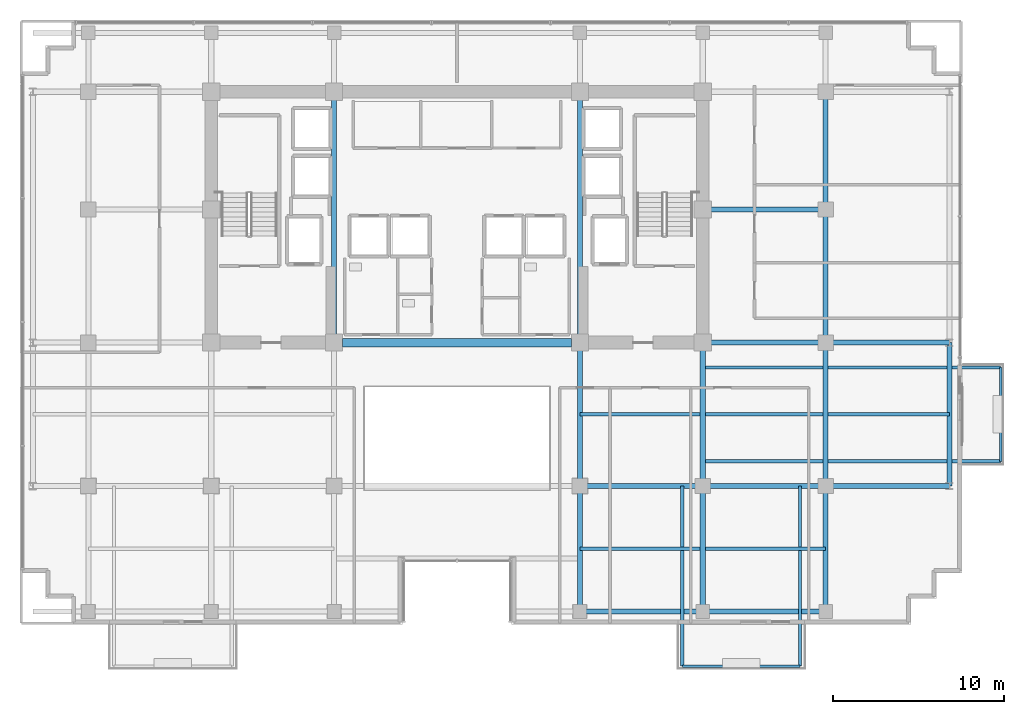
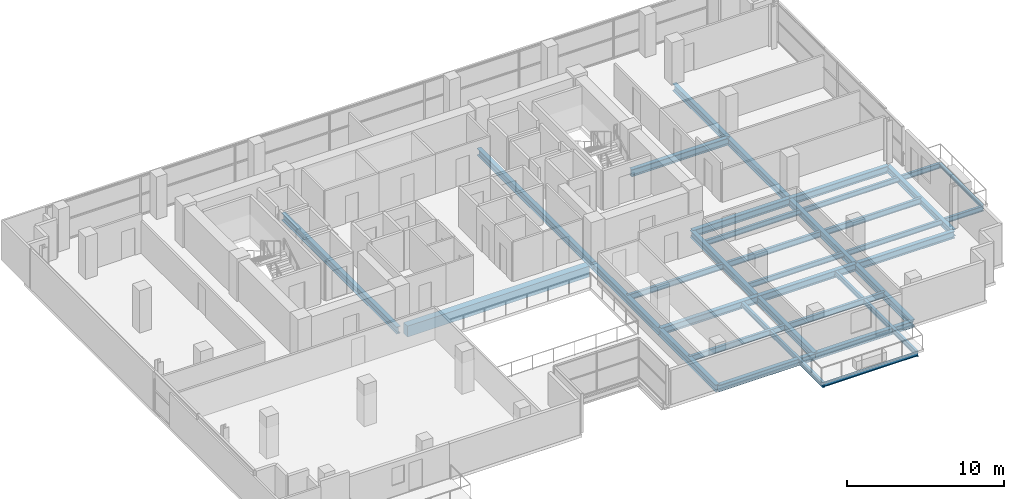
# One storey, part 10 of 24: 31 beams.
"""IFC4 building model written with IfcOpenShell, lengths in metres."""

from ifc_helpers import new_model, si_unit, direction, frame, origin, origin_2d, place, context, subcontext, project, spatial, rectangle, i_section, extrude, material, material_profile, profile_set, type_object, element, save


model = new_model("IFC4")

# Units and contexts
model_context = context("Model", 3, precision=1e-05, world=origin(), true_north=direction((0.0, 1.0)))
body_context = subcontext(model_context, "Body", "Model", "MODEL_VIEW")
ifc_project = project(units=[si_unit("LENGTHUNIT", "METRE"), si_unit("AREAUNIT", "SQUARE_METRE"), si_unit("VOLUMEUNIT", "CUBIC_METRE"), si_unit("PLANEANGLEUNIT", "RADIAN"), si_unit("MASSUNIT", "GRAM", prefix="KILO")], contexts=[model_context])

# Site, building, storey
site_placement = place(None, origin())
site = spatial("IfcSite", under=ifc_project, at=site_placement, CompositionType="ELEMENT")
building_placement = place(site_placement, origin())
building = spatial("IfcBuilding", under=site, at=building_placement, Name="Zarnakvel Exchange Tower", CompositionType="ELEMENT")
storey_placement = place(building_placement, frame((0.0, 0.0, 133.0)))
storey = spatial("IfcBuildingStorey", under=building, at=storey_placement, Name="L37", CompositionType="ELEMENT", Elevation=133.0)

# Beams
ifc_material_1 = material(Name="Steel S355", Category="steel")
ifc_material_profile_1 = material_profile(ifc_material_1, i_section(OverallWidth=0.18994140625, OverallDepth=0.449951171875, WebThickness=0.009521484375, FlangeThickness=0.0146484375, FilletRadius=0.02099609375, at=origin_2d()))
ifc_profile_set_1 = profile_set([ifc_material_profile_1], Name="Steel S355")
beam_type_1 = type_object("IfcBeamType", Name="B-05", PredefinedType="JOIST", material=ifc_profile_set_1)
for number, where, z_axis, x_axis, name in (
    (1, (7.199951171875, -13.27490234375, -0.449951171875), (1.0, 0.0, 0.0), (0.0, 1.0, 0.0), "L37 Composite Floor Secondary Joist"),
    (2, (14.550048828125, -13.27490234375, -0.449951171875), (1.0, 0.0, 0.0), (0.0, 1.0, 0.0), "L37 Composite Floor Secondary Joist"),
    (3, (7.199951171875, -5.39990234375, -0.449951171875), (1.0, 0.0, 0.0), (0.0, 1.0, 0.0), "L37 Composite Floor Secondary Joist"),
):
    element("IfcBeam", number, at=place(storey_placement, frame(where, z_axis=z_axis, x_axis=x_axis)), inside=storey, type_object=beam_type_1, Name=name, PredefinedType="JOIST", context=body_context, shape_type="SweptSolid", body=[
        extrude(i_section(OverallWidth=0.18994140625, OverallDepth=0.449951171875, WebThickness=0.009521484375, FlangeThickness=0.0146484375, FilletRadius=0.02099609375, at=origin_2d()), origin(), (0.0, 0.0, 1.0), 7.050048828125),
    ])
beam_1_placement = place(storey_placement, frame((14.550048828125, -5.39990234375, -0.449951171875), z_axis=(1.0, 0.0, 0.0), x_axis=(0.0, 1.0, 0.0)))
element("IfcBeam", 4, at=beam_1_placement, inside=storey, type_object=beam_type_1, Name="L37 Composite Floor Secondary Joist", PredefinedType="JOIST", context=body_context, shape_type="SweptSolid", body=[
    extrude(i_section(OverallWidth=0.18994140625, OverallDepth=0.449951171875, WebThickness=0.009521484375, FlangeThickness=0.0146484375, FilletRadius=0.02099609375, at=origin_2d()), origin(), (0.0, 0.0, 1.0), 6.89990234375),
])
beam_2_placement = place(storey_placement, frame((21.75, -5.39990234375, -0.449951171875), z_axis=(1.0, 0.0, 0.0), x_axis=(0.0, 1.0, 0.0)))
element("IfcBeam", 5, at=beam_2_placement, inside=storey, type_object=beam_type_1, Name="L37 Composite Floor Secondary Joist", PredefinedType="JOIST", context=body_context, shape_type="SweptSolid", body=[
    extrude(i_section(OverallWidth=0.18994140625, OverallDepth=0.449951171875, WebThickness=0.009521484375, FlangeThickness=0.0146484375, FilletRadius=0.02099609375, at=origin_2d()), origin(), (0.0, 0.0, 1.0), 7.10009765625),
])
ifc_material_profile_2 = material_profile(ifc_material_1, i_section(OverallWidth=0.179931640625, OverallDepth=0.39990234375, WebThickness=0.008544921875, FlangeThickness=0.013427734375, FilletRadius=0.02099609375, at=origin_2d()))
ifc_profile_set_2 = profile_set([ifc_material_profile_2], Name="Steel S355")
beam_type_2 = type_object("IfcBeamType", Name="B-06", PredefinedType="JOIST", material=ifc_profile_set_2)
for number, where, z_axis, x_axis, name in (
    (6, (13.199951171875, -9.60009765625, -0.425048828125), (0.0, -1.0, 0.0), (1.0, 0.0, 0.0), "L37 Continuous Back-Spanned Balcony Beam W"),
    (7, (20.10009765625, -9.60009765625, -0.425048828125), (0.0, -1.0, 0.0), (1.0, 0.0, 0.0), "L37 Continuous Back-Spanned Balcony Beam E"),
):
    element("IfcBeam", number, at=place(storey_placement, frame(where, z_axis=z_axis, x_axis=x_axis)), inside=storey, type_object=beam_type_2, Name=name, PredefinedType="JOIST", context=body_context, shape_type="SweptSolid", body=[
        extrude(i_section(OverallWidth=0.179931640625, OverallDepth=0.39990234375, WebThickness=0.008544921875, FlangeThickness=0.013427734375, FilletRadius=0.02099609375, at=origin_2d()), origin(), (0.0, 0.0, 1.0), 10.5498046875),
    ])
for number, where, z_axis, x_axis, name in (
    (8, (14.39990234375, -8.14990234375, -0.425048828125), (1.0, 0.0, 0.0), (0.0, 1.0, 0.0), "L37 Continuous East Loggia Beam S"),
    (9, (14.39990234375, -2.64990234375, -0.425048828125), (1.0, 0.0, 0.0), (0.0, 1.0, 0.0), "L37 Continuous East Loggia Beam N"),
):
    element("IfcBeam", number, at=place(storey_placement, frame(where, z_axis=z_axis, x_axis=x_axis)), inside=storey, type_object=beam_type_2, Name=name, PredefinedType="JOIST", context=body_context, shape_type="SweptSolid", body=[
        extrude(i_section(OverallWidth=0.179931640625, OverallDepth=0.39990234375, WebThickness=0.008544921875, FlangeThickness=0.013427734375, FilletRadius=0.02099609375, at=origin_2d()), origin(), (0.0, 0.0, 1.0), 17.4501953125),
    ])
ifc_material_profile_3 = material_profile(ifc_material_1, i_section(OverallWidth=0.14990234375, OverallDepth=0.300048828125, WebThickness=0.007080078125, FlangeThickness=0.0107421875, FilletRadius=0.014892578125, at=origin_2d()))
ifc_profile_set_3 = profile_set([ifc_material_profile_3], Name="Steel S355")
beam_type_3 = type_object("IfcBeamType", Name="B-08", PredefinedType="JOIST", material=ifc_profile_set_3)
beam_3_placement = place(storey_placement, frame((13.199951171875, -20.14990234375, -0.375), z_axis=(1.0, 0.0, 0.0), x_axis=(0.0, 1.0, 0.0)))
element("IfcBeam", 10, at=beam_3_placement, inside=storey, type_object=beam_type_3, Name="L37 Balcony Edge Beam", PredefinedType="JOIST", context=body_context, shape_type="SweptSolid", body=[
    extrude(i_section(OverallWidth=0.14990234375, OverallDepth=0.300048828125, WebThickness=0.007080078125, FlangeThickness=0.0107421875, FilletRadius=0.014892578125, at=origin_2d()), origin(), (0.0, 0.0, 1.0), 6.900146484375),
])
beam_4_placement = place(storey_placement, frame((31.85009765625, -8.14990234375, -0.375), z_axis=(0.0, 1.0, 0.0), x_axis=(-1.0, 0.0, 0.0)))
element("IfcBeam", 11, at=beam_4_placement, inside=storey, type_object=beam_type_3, Name="L37 East Loggia Edge Beam", PredefinedType="JOIST", context=body_context, shape_type="SweptSolid", body=[
    extrude(i_section(OverallWidth=0.14990234375, OverallDepth=0.300048828125, WebThickness=0.007080078125, FlangeThickness=0.0107421875, FilletRadius=0.014892578125, at=origin_2d()), origin(), (0.0, 0.0, 1.0), 5.5),
])
ifc_material_2 = material(Name="Concrete C60/75", Category="concrete")
ifc_material_profile_4 = material_profile(ifc_material_2, rectangle(XDim=0.5, YDim=0.85009765625, at=origin_2d()))
ifc_profile_set_4 = profile_set([ifc_material_profile_4], Name="Concrete C60/75")
beam_type_4 = type_object("IfcBeamType", Name="CB-02", PredefinedType="LINTEL", material=ifc_profile_set_4)
beam_5_placement = place(storey_placement, frame((-6.699951171875, -1.199951171875, -0.64990234375), z_axis=(1.0, 0.0, 0.0), x_axis=(0.0, 1.0, 0.0)))
element("IfcBeam", 12, at=beam_5_placement, inside=storey, type_object=beam_type_4, Name="L37 Rear Core South Coupling Beam (CB-02)", PredefinedType="LINTEL", context=body_context, shape_type="SweptSolid", body=[
    extrude(rectangle(XDim=0.5, YDim=0.85009765625, at=origin_2d()), origin(), (0.0, 0.0, 1.0), 13.39990234375),
])
ifc_material_profile_5 = material_profile(ifc_material_1, i_section(OverallWidth=0.300048828125, OverallDepth=0.550048828125, WebThickness=0.014892578125, FlangeThickness=0.029052734375, FilletRadius=0.027099609375, at=origin_2d()))
ifc_profile_set_5 = profile_set([ifc_material_profile_5], Name="Steel S355")
beam_type_5 = type_object("IfcBeamType", Name="G-05", PredefinedType="BEAM", material=ifc_profile_set_5)
beam_6_placement = place(storey_placement, frame((7.199951171875, -9.60009765625, -0.5), z_axis=(1.0, 0.0, 0.0), x_axis=(0.0, 1.0, 0.0)))
element("IfcBeam", 13, at=beam_6_placement, inside=storey, type_object=beam_type_5, Name="L37 Tower E-W Frame Beam", PredefinedType="BEAM", context=body_context, shape_type="SweptSolid", body=[
    extrude(i_section(OverallWidth=0.300048828125, OverallDepth=0.550048828125, WebThickness=0.014892578125, FlangeThickness=0.029052734375, FilletRadius=0.027099609375, at=origin_2d()), origin(), (0.0, 0.0, 1.0), 7.199951171875),
])
beam_7_placement = place(storey_placement, frame((14.39990234375, -9.60009765625, -0.5), z_axis=(1.0, 0.0, 0.0), x_axis=(0.0, 1.0, 0.0)))
element("IfcBeam", 14, at=beam_7_placement, inside=storey, type_object=beam_type_5, Name="L37 Tower E-W Frame Beam", PredefinedType="BEAM", context=body_context, shape_type="SweptSolid", body=[
    extrude(i_section(OverallWidth=0.300048828125, OverallDepth=0.550048828125, WebThickness=0.014892578125, FlangeThickness=0.029052734375, FilletRadius=0.027099609375, at=origin_2d()), origin(), (0.0, 0.0, 1.0), 7.2001953125),
])
beam_8_placement = place(storey_placement, frame((21.60009765625, -9.60009765625, -0.5), z_axis=(1.0, 0.0, 0.0), x_axis=(0.0, 1.0, 0.0)))
element("IfcBeam", 15, at=beam_8_placement, inside=storey, type_object=beam_type_5, Name="L37 Tower E-W Frame Beam", PredefinedType="BEAM", context=body_context, shape_type="SweptSolid", body=[
    extrude(i_section(OverallWidth=0.300048828125, OverallDepth=0.550048828125, WebThickness=0.014892578125, FlangeThickness=0.029052734375, FilletRadius=0.027099609375, at=origin_2d()), origin(), (0.0, 0.0, 1.0), 7.25),
])
beam_9_placement = place(storey_placement, frame((14.39990234375, -1.199951171875, -0.5), z_axis=(1.0, 0.0, 0.0), x_axis=(0.0, 1.0, 0.0)))
element("IfcBeam", 16, at=beam_9_placement, inside=storey, type_object=beam_type_5, Name="L37 Tower E-W Frame Beam", PredefinedType="BEAM", context=body_context, shape_type="SweptSolid", body=[
    extrude(i_section(OverallWidth=0.300048828125, OverallDepth=0.550048828125, WebThickness=0.014892578125, FlangeThickness=0.029052734375, FilletRadius=0.027099609375, at=origin_2d()), origin(), (0.0, 0.0, 1.0), 7.2001953125),
])
beam_10_placement = place(storey_placement, frame((21.60009765625, -1.199951171875, -0.5), z_axis=(1.0, 0.0, 0.0), x_axis=(0.0, 1.0, 0.0)))
element("IfcBeam", 17, at=beam_10_placement, inside=storey, type_object=beam_type_5, Name="L37 Tower E-W Frame Beam", PredefinedType="BEAM", context=body_context, shape_type="SweptSolid", body=[
    extrude(i_section(OverallWidth=0.300048828125, OverallDepth=0.550048828125, WebThickness=0.014892578125, FlangeThickness=0.029052734375, FilletRadius=0.027099609375, at=origin_2d()), origin(), (0.0, 0.0, 1.0), 7.25),
])
beam_11_placement = place(storey_placement, frame((14.39990234375, 6.60009765625, -0.5), z_axis=(1.0, 0.0, 0.0), x_axis=(0.0, 1.0, 0.0)))
element("IfcBeam", 18, at=beam_11_placement, inside=storey, type_object=beam_type_5, Name="L37 Tower E-W Frame Beam", PredefinedType="BEAM", context=body_context, shape_type="SweptSolid", body=[
    extrude(i_section(OverallWidth=0.300048828125, OverallDepth=0.550048828125, WebThickness=0.014892578125, FlangeThickness=0.029052734375, FilletRadius=0.027099609375, at=origin_2d()), origin(), (0.0, 0.0, 1.0), 7.2001953125),
])
beam_12_placement = place(storey_placement, frame((-7.199951171875, -1.199951171875, -0.5), z_axis=(0.0, 1.0, 0.0), x_axis=(-1.0, 0.0, 0.0)))
element("IfcBeam", 19, at=beam_12_placement, inside=storey, type_object=beam_type_5, Name="L37 Tower N-S Frame Beam", PredefinedType="BEAM", context=body_context, shape_type="SweptSolid", body=[
    extrude(i_section(OverallWidth=0.300048828125, OverallDepth=0.550048828125, WebThickness=0.014892578125, FlangeThickness=0.029052734375, FilletRadius=0.027099609375, at=origin_2d()), origin(), (0.0, 0.0, 1.0), 14.699951171875),
])
beam_13_placement = place(storey_placement, frame((7.199951171875, -16.949951171875, -0.5), z_axis=(0.0, 1.0, 0.0), x_axis=(-1.0, 0.0, 0.0)))
element("IfcBeam", 20, at=beam_13_placement, inside=storey, type_object=beam_type_5, Name="L37 Tower N-S Frame Beam", PredefinedType="BEAM", context=body_context, shape_type="SweptSolid", body=[
    extrude(i_section(OverallWidth=0.300048828125, OverallDepth=0.550048828125, WebThickness=0.014892578125, FlangeThickness=0.029052734375, FilletRadius=0.027099609375, at=origin_2d()), origin(), (0.0, 0.0, 1.0), 7.349853515625),
])
beam_14_placement = place(storey_placement, frame((7.199951171875, -9.60009765625, -0.5), z_axis=(0.0, 1.0, 0.0), x_axis=(-1.0, 0.0, 0.0)))
element("IfcBeam", 21, at=beam_14_placement, inside=storey, type_object=beam_type_5, Name="L37 Tower N-S Frame Beam", PredefinedType="BEAM", context=body_context, shape_type="SweptSolid", body=[
    extrude(i_section(OverallWidth=0.300048828125, OverallDepth=0.550048828125, WebThickness=0.014892578125, FlangeThickness=0.029052734375, FilletRadius=0.027099609375, at=origin_2d()), origin(), (0.0, 0.0, 1.0), 8.400146484375),
])
beam_15_placement = place(storey_placement, frame((7.199951171875, -1.199951171875, -0.5), z_axis=(0.0, 1.0, 0.0), x_axis=(-1.0, 0.0, 0.0)))
element("IfcBeam", 22, at=beam_15_placement, inside=storey, type_object=beam_type_5, Name="L37 Tower N-S Frame Beam", PredefinedType="BEAM", context=body_context, shape_type="SweptSolid", body=[
    extrude(i_section(OverallWidth=0.300048828125, OverallDepth=0.550048828125, WebThickness=0.014892578125, FlangeThickness=0.029052734375, FilletRadius=0.027099609375, at=origin_2d()), origin(), (0.0, 0.0, 1.0), 14.699951171875),
])
beam_16_placement = place(storey_placement, frame((14.39990234375, -16.949951171875, -0.5), z_axis=(0.0, 1.0, 0.0), x_axis=(-1.0, 0.0, 0.0)))
element("IfcBeam", 23, at=beam_16_placement, inside=storey, type_object=beam_type_5, Name="L37 Tower N-S Frame Beam", PredefinedType="BEAM", context=body_context, shape_type="SweptSolid", body=[
    extrude(i_section(OverallWidth=0.300048828125, OverallDepth=0.550048828125, WebThickness=0.014892578125, FlangeThickness=0.029052734375, FilletRadius=0.027099609375, at=origin_2d()), origin(), (0.0, 0.0, 1.0), 7.349853515625),
])
beam_17_placement = place(storey_placement, frame((14.39990234375, -9.60009765625, -0.5), z_axis=(0.0, 1.0, 0.0), x_axis=(-1.0, 0.0, 0.0)))
element("IfcBeam", 24, at=beam_17_placement, inside=storey, type_object=beam_type_5, Name="L37 Tower N-S Frame Beam", PredefinedType="BEAM", context=body_context, shape_type="SweptSolid", body=[
    extrude(i_section(OverallWidth=0.300048828125, OverallDepth=0.550048828125, WebThickness=0.014892578125, FlangeThickness=0.029052734375, FilletRadius=0.027099609375, at=origin_2d()), origin(), (0.0, 0.0, 1.0), 8.400146484375),
])
beam_18_placement = place(storey_placement, frame((21.60009765625, -16.949951171875, -0.5), z_axis=(0.0, 1.0, 0.0), x_axis=(-1.0, 0.0, 0.0)))
element("IfcBeam", 25, at=beam_18_placement, inside=storey, type_object=beam_type_5, Name="L37 Tower N-S Frame Beam", PredefinedType="BEAM", context=body_context, shape_type="SweptSolid", body=[
    extrude(i_section(OverallWidth=0.300048828125, OverallDepth=0.550048828125, WebThickness=0.014892578125, FlangeThickness=0.029052734375, FilletRadius=0.027099609375, at=origin_2d()), origin(), (0.0, 0.0, 1.0), 7.349853515625),
])
beam_19_placement = place(storey_placement, frame((21.60009765625, -9.60009765625, -0.5), z_axis=(0.0, 1.0, 0.0), x_axis=(-1.0, 0.0, 0.0)))
element("IfcBeam", 26, at=beam_19_placement, inside=storey, type_object=beam_type_5, Name="L37 Tower N-S Frame Beam", PredefinedType="BEAM", context=body_context, shape_type="SweptSolid", body=[
    extrude(i_section(OverallWidth=0.300048828125, OverallDepth=0.550048828125, WebThickness=0.014892578125, FlangeThickness=0.029052734375, FilletRadius=0.027099609375, at=origin_2d()), origin(), (0.0, 0.0, 1.0), 8.400146484375),
])
beam_20_placement = place(storey_placement, frame((21.60009765625, -1.199951171875, -0.5), z_axis=(0.0, 1.0, 0.0), x_axis=(-1.0, 0.0, 0.0)))
element("IfcBeam", 27, at=beam_20_placement, inside=storey, type_object=beam_type_5, Name="L37 Tower N-S Frame Beam", PredefinedType="BEAM", context=body_context, shape_type="SweptSolid", body=[
    extrude(i_section(OverallWidth=0.300048828125, OverallDepth=0.550048828125, WebThickness=0.014892578125, FlangeThickness=0.029052734375, FilletRadius=0.027099609375, at=origin_2d()), origin(), (0.0, 0.0, 1.0), 7.800048828125),
])
beam_21_placement = place(storey_placement, frame((21.60009765625, 6.60009765625, -0.5), z_axis=(0.0, 1.0, 0.0), x_axis=(-1.0, 0.0, 0.0)))
element("IfcBeam", 28, at=beam_21_placement, inside=storey, type_object=beam_type_5, Name="L37 Tower N-S Frame Beam", PredefinedType="BEAM", context=body_context, shape_type="SweptSolid", body=[
    extrude(i_section(OverallWidth=0.300048828125, OverallDepth=0.550048828125, WebThickness=0.014892578125, FlangeThickness=0.029052734375, FilletRadius=0.027099609375, at=origin_2d()), origin(), (0.0, 0.0, 1.0), 6.89990234375),
])
ifc_material_profile_6 = material_profile(ifc_material_1, i_section(OverallWidth=0.300048828125, OverallDepth=0.5, WebThickness=0.014404296875, FlangeThickness=0.028076171875, FilletRadius=0.027099609375, at=origin_2d()))
ifc_profile_set_6 = profile_set([ifc_material_profile_6], Name="Steel S355")
beam_type_6 = type_object("IfcBeamType", Name="SP-02", PredefinedType="SPANDREL", material=ifc_profile_set_6)
beam_22_placement = place(storey_placement, frame((7.199951171875, -16.949951171875, -0.47509765625), z_axis=(1.0, 0.0, 0.0), x_axis=(0.0, 1.0, 0.0)))
element("IfcBeam", 29, at=beam_22_placement, inside=storey, type_object=beam_type_6, Name="L37 Tower E-W Frame Beam", PredefinedType="SPANDREL", context=body_context, shape_type="SweptSolid", body=[
    extrude(i_section(OverallWidth=0.300048828125, OverallDepth=0.5, WebThickness=0.014404296875, FlangeThickness=0.028076171875, FilletRadius=0.027099609375, at=origin_2d()), origin(), (0.0, 0.0, 1.0), 7.199951171875),
])
beam_23_placement = place(storey_placement, frame((14.39990234375, -16.949951171875, -0.47509765625), z_axis=(1.0, 0.0, 0.0), x_axis=(0.0, 1.0, 0.0)))
element("IfcBeam", 30, at=beam_23_placement, inside=storey, type_object=beam_type_6, Name="L37 Tower E-W Frame Beam", PredefinedType="SPANDREL", context=body_context, shape_type="SweptSolid", body=[
    extrude(i_section(OverallWidth=0.300048828125, OverallDepth=0.5, WebThickness=0.014404296875, FlangeThickness=0.028076171875, FilletRadius=0.027099609375, at=origin_2d()), origin(), (0.0, 0.0, 1.0), 7.2001953125),
])
beam_24_placement = place(storey_placement, frame((28.85009765625, -9.60009765625, -0.47509765625), z_axis=(0.0, 1.0, 0.0), x_axis=(-1.0, 0.0, 0.0)))
element("IfcBeam", 31, at=beam_24_placement, inside=storey, type_object=beam_type_6, Name="L37 Tower N-S Frame Beam", PredefinedType="SPANDREL", context=body_context, shape_type="SweptSolid", body=[
    extrude(i_section(OverallWidth=0.300048828125, OverallDepth=0.5, WebThickness=0.014404296875, FlangeThickness=0.028076171875, FilletRadius=0.027099609375, at=origin_2d()), origin(), (0.0, 0.0, 1.0), 8.400146484375),
])

save(model, "model.ifc")
